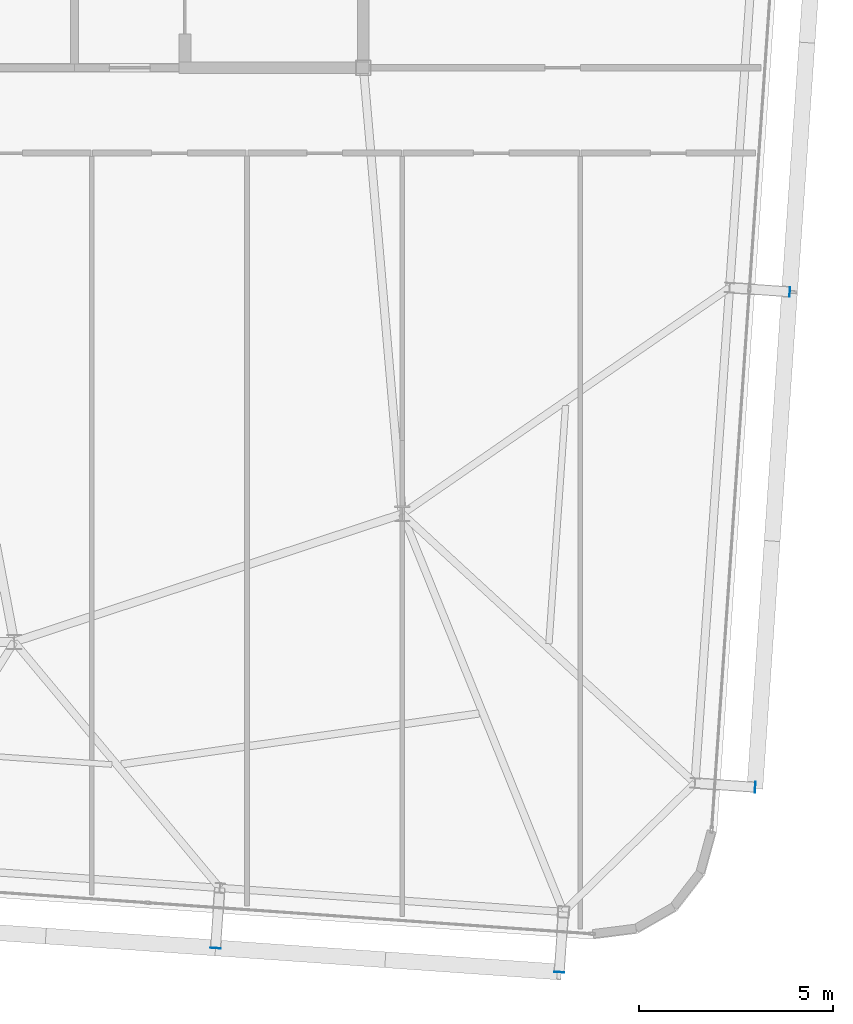
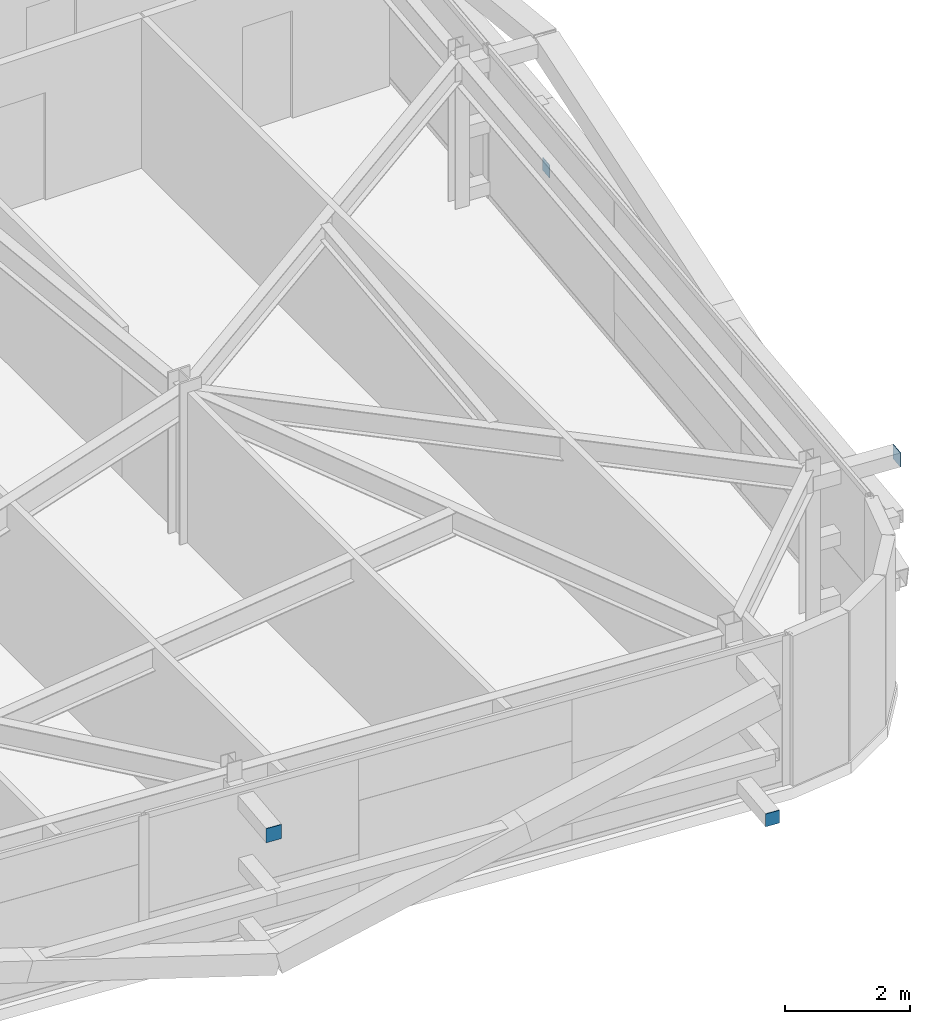
# One storey, part 30 of 39: 4 plates.
"""IFC4 building model written with IfcOpenShell, lengths in metres."""

import ifcopenshell
import ifcopenshell.guid

model = None  # the IFC model being written
_history = None  # IfcOwnerHistory: only IFC2X3 demands one
_inside = {}  # id of a spatial element -> (the spatial element, [elements in it])
_under = {}  # id of a project, library or spatial element -> (it, [spatial elements below it])
_declared = {}  # id of a project -> (the project, [libraries it declares])
_typed = {}  # id of a type object -> (the type object, [elements of that type])
_made_of = {}  # id of a material, layer set ... -> (it, [elements and type objects made of it])


def new_model(schema):
    """Start an empty IFC model of exactly this schema.

    Asked for "IFC4X3", IfcOpenShell would pick the latest addendum, in which some entities
    have other attributes; the version numbers below select the first issue.
    IFC2X3 requires an IfcOwnerHistory on every rooted entity: one is made here for all.
    """
    global model, _history
    if schema == "IFC4X3":
        model = ifcopenshell.file(schema_version=(4, 3, 0, 0))
    else:
        model = ifcopenshell.file(schema=schema)
    _inside.clear()
    _under.clear()
    _declared.clear()
    _typed.clear()
    _made_of.clear()
    _history = None
    if model.schema == "IFC2X3":
        org = make("IfcOrganization", Name="unknown")
        user = make(
            "IfcPersonAndOrganization",
            ThePerson=make("IfcPerson", FamilyName="unknown"),
            TheOrganization=org,
        )
        app = make(
            "IfcApplication",
            ApplicationDeveloper=org,
            Version="unknown",
            ApplicationFullName="unknown",
            ApplicationIdentifier="unknown",
        )
        _history = make(
            "IfcOwnerHistory",
            OwningUser=user,
            OwningApplication=app,
            ChangeAction="ADDED",
            CreationDate=0,
        )
    return model


def make(cls, **values):
    """One entity of the class cls with the attributes given. An attribute that is None is left unset."""
    return model.create_entity(
        cls, **{name: value for name, value in values.items() if value is not None}
    )


def rooted(cls, **values):
    """An entity with a GlobalId (a new one), such as an element, a storey or a relation."""
    return make(cls, GlobalId=ifcopenshell.guid.new(), OwnerHistory=_history, **values)


def si_unit(unit_type, name, prefix=None):
    """IfcSIUnit, for example si_unit("LENGTHUNIT", "METRE", prefix="MILLI")."""
    return make("IfcSIUnit", UnitType=unit_type, Prefix=prefix, Name=name)


def assignment(units):
    """IfcUnitAssignment: the units of a project."""
    return None if units is None else make("IfcUnitAssignment", Units=units)


def point(xyz):
    """IfcCartesianPoint."""
    return None if xyz is None else make("IfcCartesianPoint", Coordinates=xyz)


def direction(xyz):
    """IfcDirection."""
    return None if xyz is None else make("IfcDirection", DirectionRatios=xyz)


def frame(location, z_axis=None, x_axis=None):
    """IfcAxis2Placement3D, a coordinate frame: its origin and axes. An axis left out is left unset."""
    return make(
        "IfcAxis2Placement3D",
        Location=point(location),
        Axis=direction(z_axis),
        RefDirection=direction(x_axis),
    )


def frame_2d(location, x_axis=None):
    """IfcAxis2Placement2D, a coordinate frame in the plane: its origin and x axis."""
    return make(
        "IfcAxis2Placement2D", Location=point(location), RefDirection=direction(x_axis)
    )


def origin():
    """The frame at (0, 0, 0) with its axes left unset."""
    return frame((0.0, 0.0, 0.0))


def origin_2d():
    """The frame at (0, 0) in the plane with its x axis left unset."""
    return frame_2d((0.0, 0.0))


def place(relative_to, where):
    """IfcLocalPlacement: puts the frame where relative to a parent placement (None: the world)."""
    return make(
        "IfcLocalPlacement", PlacementRelTo=relative_to, RelativePlacement=where
    )


def context(
    kind, dimensions, precision=None, world=None, true_north=None, identifier=None
):
    """IfcGeometricRepresentationContext, for example the 3D "Model" context."""
    return make(
        "IfcGeometricRepresentationContext",
        ContextIdentifier=identifier,
        ContextType=kind,
        CoordinateSpaceDimension=dimensions,
        Precision=precision,
        WorldCoordinateSystem=world,
        TrueNorth=true_north,
    )


def subcontext(parent, identifier, kind, view, scale=None):
    """IfcGeometricRepresentationSubContext, for example "Body" below "Model"."""
    return make(
        "IfcGeometricRepresentationSubContext",
        ContextIdentifier=identifier,
        ContextType=kind,
        ParentContext=parent,
        TargetScale=scale,
        TargetView=view,
    )


def project(units=None, contexts=None):
    """IfcProject with its units and contexts."""
    return rooted(
        "IfcProject",
        Name="project",
        RepresentationContexts=contexts,
        UnitsInContext=assignment(units),
    )


def spatial(cls, under=None, at=None, **own):
    """A site, building, storey or space (cls), placed at a placement, below another one or the project."""
    s = rooted(cls, ObjectPlacement=at, **own)
    if under is not None:
        _under.setdefault(under.id(), (under, []))[1].append(s)
    return s


def profile(cls, at=None, kind="AREA", **sizes):
    """A parametric profile (cls). Its sizes go by their IFC names, for example OverallWidth=200.0."""
    return make(cls, ProfileType=kind, Position=at, **sizes)


def rectangle(**sizes):
    """IfcRectangleProfileDef."""
    return profile("IfcRectangleProfileDef", **sizes)


def extrude(swept, where, along, depth):
    """IfcExtrudedAreaSolid: the profile swept, set in the frame where, extruded along a direction by depth."""
    return make(
        "IfcExtrudedAreaSolid",
        SweptArea=swept,
        Position=where,
        ExtrudedDirection=direction(along),
        Depth=depth,
    )


def shape(context_of_items, identifier, shape_type, items):
    """IfcShapeRepresentation: the items that make up one representation, for example the "Body"."""
    return make(
        "IfcShapeRepresentation",
        ContextOfItems=context_of_items,
        RepresentationIdentifier=identifier,
        RepresentationType=shape_type,
        Items=items,
    )


def source(mapping_origin, context_of_items, identifier, shape_type, items):
    """IfcRepresentationMap: a shape defined once, which mapped items show again and again."""
    return make(
        "IfcRepresentationMap",
        MappingOrigin=mapping_origin,
        MappedRepresentation=shape(context_of_items, identifier, shape_type, items),
    )


def transform(
    local_origin,
    x_axis=None,
    y_axis=None,
    z_axis=None,
    scale=None,
    scale2=None,
    scale3=None,
    uniform=True,
):
    """IfcCartesianTransformationOperator3D, or its non-uniform kind. x_axis, y_axis, z_axis: its Axis1, 2, 3."""
    if uniform:
        return make(
            "IfcCartesianTransformationOperator3D",
            Axis1=direction(x_axis),
            Axis2=direction(y_axis),
            LocalOrigin=point(local_origin),
            Scale=scale,
            Axis3=direction(z_axis),
        )
    return make(
        "IfcCartesianTransformationOperator3DnonUniform",
        Axis1=direction(x_axis),
        Axis2=direction(y_axis),
        LocalOrigin=point(local_origin),
        Scale=scale,
        Axis3=direction(z_axis),
        Scale2=scale2,
        Scale3=scale3,
    )


def mapped(mapping_source, mapping_target):
    """IfcMappedItem: shows the shape of a source again, moved by a transform."""
    return make(
        "IfcMappedItem", MappingSource=mapping_source, MappingTarget=mapping_target
    )


def material(Name=None, Category=None):
    """IfcMaterial."""
    return make("IfcMaterial", Name=Name, Category=Category)


def layer(
    of_material, thickness, ventilated=None, Name=None, Category=None, Priority=None
):
    """IfcMaterialLayer: one layer of a wall or slab, of a material (None: an air gap)."""
    return make(
        "IfcMaterialLayer",
        Material=of_material,
        LayerThickness=thickness,
        IsVentilated=ventilated,
        Name=Name,
        Category=Category,
        Priority=Priority,
    )


def layer_set(layers, Name=None):
    """IfcMaterialLayerSet."""
    return make("IfcMaterialLayerSet", MaterialLayers=layers, LayerSetName=Name)


def made_of(thing, what):
    """Note that an element or type object is made of a material, layer set ...; save() writes the relation."""
    if what is not None:
        _made_of.setdefault(what.id(), (what, []))[1].append(thing)
    return thing


def type_object(cls, material=None, **own):
    """A type object (cls), such as IfcWallType, which elements share."""
    return made_of(rooted(cls, **own), material)


def element(
    cls,
    number,
    at=None,
    inside=None,
    cuts=None,
    type_object=None,
    material=None,
    context=None,
    identifier="Body",
    shape_type=None,
    held_by="IfcProductDefinitionShape",
    body=None,
    shapes=None,
    **own,
):
    """One element of the class cls, such as IfcWall. Its Tag is "e" and its number.

    at: its placement. inside: the storey or other place that contains it. cuts: it is an
    opening in that element (IfcRelVoidsElement). A single representation is given by context,
    identifier, shape_type and body (its items); several are given by shapes. held_by: the class
    of the entity that holds the representations. save() writes the other relations.
    """
    e = rooted(cls, Tag="e%d" % number, ObjectPlacement=at, **own)
    if body is not None:
        shapes = [shape(context, identifier, shape_type, body)]
    if shapes is not None:
        e.Representation = make(held_by, Representations=shapes)
    if inside is not None:
        _inside.setdefault(inside.id(), (inside, []))[1].append(e)
    if cuts is not None:
        rooted(
            "IfcRelVoidsElement", RelatingBuildingElement=cuts, RelatedOpeningElement=e
        )
    if type_object is not None:
        _typed.setdefault(type_object.id(), (type_object, []))[1].append(e)
    return made_of(e, material)


def aggregate(whole, parts):
    """IfcRelAggregates: a whole, such as a stair, and the parts it consists of."""
    return rooted("IfcRelAggregates", RelatingObject=whole, RelatedObjects=parts)


def save(model, path):
    """Write the relations noted so far, then the file.

    IfcRelAggregates (storeys below a building ...), IfcRelContainedInSpatialStructure (elements
    in a storey), IfcRelDefinesByType, IfcRelAssociatesMaterial and IfcRelDeclares: one each for
    every whole, place, type object, material and project.
    """
    for whole, parts in _under.values():
        aggregate(whole, parts)
    for where, things in _inside.values():
        rooted(
            "IfcRelContainedInSpatialStructure",
            RelatedElements=things,
            RelatingStructure=where,
        )
    for kind, things in _typed.values():
        rooted("IfcRelDefinesByType", RelatedObjects=things, RelatingType=kind)
    for what, things in _made_of.values():
        rooted("IfcRelAssociatesMaterial", RelatedObjects=things, RelatingMaterial=what)
    for by, libraries in _declared.values():
        rooted("IfcRelDeclares", RelatingContext=by, RelatedDefinitions=libraries)
    model.write(path)


model = new_model("IFC4")

# Units and contexts
model_context = context("Model", 3, precision=1e-05, world=origin(), true_north=direction((0.0, 1.0)))
body_context = subcontext(model_context, "Body", "Model", "MODEL_VIEW")
ifc_project = project(units=[si_unit("LENGTHUNIT", "METRE"), si_unit("AREAUNIT", "SQUARE_METRE"), si_unit("VOLUMEUNIT", "CUBIC_METRE"), si_unit("PLANEANGLEUNIT", "RADIAN"), si_unit("MASSUNIT", "GRAM", prefix="KILO")], contexts=[model_context])

# Site, building, storey
site_placement = place(None, origin())
site = spatial("IfcSite", under=ifc_project, at=site_placement, CompositionType="ELEMENT")
building_placement = place(site_placement, origin())
building = spatial("IfcBuilding", under=site, at=building_placement, Name="Taldren Reach Tower", CompositionType="ELEMENT")
storey_placement = place(building_placement, frame((0.0, 0.0, 158.199951171875)))
storey = spatial("IfcBuildingStorey", under=building, at=storey_placement, Name="L48", CompositionType="ELEMENT", Elevation=158.199951171875)

# Plates
ifc_material_1 = material(Name="Steel Gr 450 (C450L0)", Category="steel")
ifc_layer_1 = layer(ifc_material_1, 0.011962890625)
ifc_layer_set_1 = layer_set([ifc_layer_1], Name="Steel Gr 450 (C450L0)")
plate_type_1 = type_object("IfcPlateType", Name="PL-CAP-275", PredefinedType="SHEET", material=ifc_layer_set_1)
shared_shape_1 = source(origin(), body_context, "Body", "SweptSolid", [
    extrude(rectangle(XDim=0.27490234375, YDim=0.011962890625, at=origin_2d()), origin(), (0.0, 0.0, 1.0), 0.27490234375),
])
plate_1_placement = place(storey_placement, frame((47.1884765625, 1.308349609375, 2.5126953125), z_axis=(0.0, 0.0, 1.0), x_axis=(0.99756405026, -0.069756473744, 0.0)))
element("IfcPlate", 1, at=plate_1_placement, inside=storey, type_object=plate_type_1, Name="Tie strut end cap plate B3-S5 L48", PredefinedType="SHEET", context=body_context, shape_type="MappedRepresentation", body=[
    mapped(shared_shape_1, transform((0.0, 0.0, 0.0), scale=1.0)),
])
shared_shape_2 = source(origin(), body_context, "Body", "SweptSolid", [
    extrude(rectangle(XDim=0.011962890625, YDim=0.27490234375, at=origin_2d()), origin(), (0.0, 0.0, 1.0), 0.27490234375),
])
plate_2_placement = place(storey_placement, frame((61.09765625, 5.454345703125, 2.5126953125), z_axis=(0.0, 0.0, 1.0), x_axis=(0.99756405026, -0.069756473744, 0.0)))
element("IfcPlate", 2, at=plate_2_placement, inside=storey, type_object=plate_type_1, Name="Tie strut end cap plate B3-E1 L48", PredefinedType="SHEET", context=body_context, shape_type="MappedRepresentation", body=[
    mapped(shared_shape_2, transform((0.0, 0.0, 0.0), scale=1.0)),
])
ifc_material_2 = material(Name="Steel Gr 350 (C350L0)", Category="steel")
ifc_layer_2 = layer(ifc_material_2, 0.011962890625)
ifc_layer_set_2 = layer_set([ifc_layer_2], Name="Steel Gr 350 (C350L0)")
plate_type_2 = type_object("IfcPlateType", Name="PL-CAP-250", PredefinedType="SHEET", material=ifc_layer_set_2)
shared_shape_3 = source(origin(), body_context, "Body", "SweptSolid", [
    extrude(rectangle(XDim=0.25, YDim=0.011962890625, at=origin_2d()), origin(), (0.0, 0.0, 1.0), 0.25),
])
plate_3_placement = place(storey_placement, frame((56.046875, 0.68896484375, 0.094970703125), z_axis=(0.0, 0.0, 1.0), x_axis=(0.99756405026, -0.069756473744, 0.0)))
element("IfcPlate", 3, at=plate_3_placement, inside=storey, type_object=plate_type_2, Name="Tie strut end cap plate B3-S6 L48", PredefinedType="SHEET", context=body_context, shape_type="MappedRepresentation", body=[
    mapped(shared_shape_3, transform((0.0, 0.0, 0.0), scale=1.0)),
])
shared_shape_4 = source(origin(), body_context, "Body", "SweptSolid", [
    extrude(rectangle(XDim=0.011962890625, YDim=0.25, at=origin_2d()), origin(), (0.0, 0.0, 1.0), 0.25),
])
plate_4_placement = place(storey_placement, frame((61.990478515625, 18.22314453125, 0.094970703125), z_axis=(0.0, 0.0, 1.0), x_axis=(0.99756405026, -0.069756473744, 0.0)))
element("IfcPlate", 4, at=plate_4_placement, inside=storey, type_object=plate_type_2, Name="Tie strut end cap plate B3-E2 L48", PredefinedType="SHEET", context=body_context, shape_type="MappedRepresentation", body=[
    mapped(shared_shape_4, transform((0.0, 0.0, 0.0), scale=1.0)),
])

save(model, "model.ifc")
